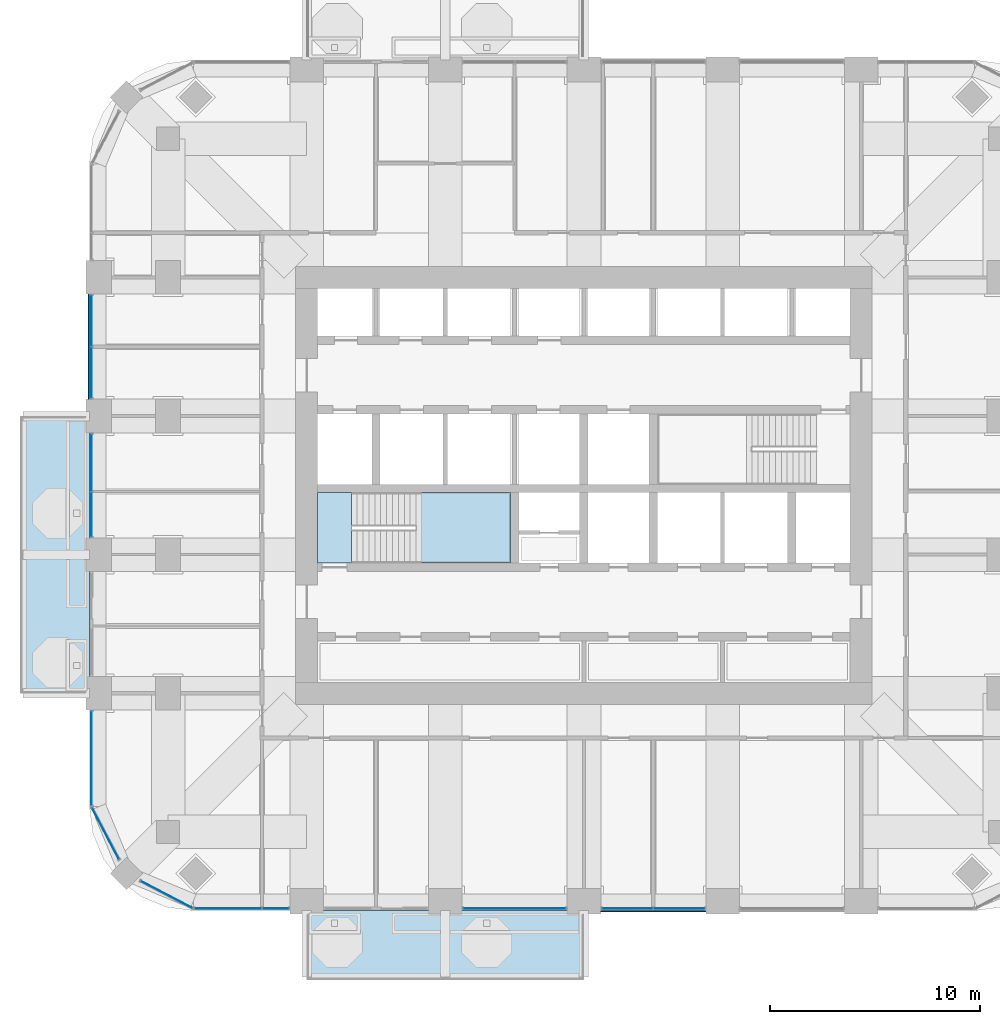
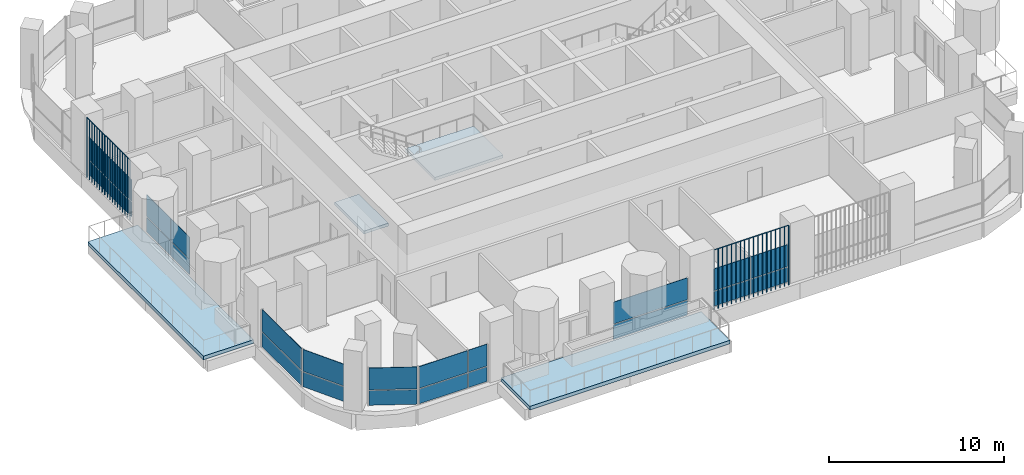
# One storey, part 8 of 20: 26 plates, 4 slabs, 9 elements without a shape of their own.
"""IFC4 building model written with IfcOpenShell, lengths in metres."""

from ifc_helpers import new_model, si_unit, direction, frame, origin, origin_2d, place, context, subcontext, project, spatial, polyline, rectangle, outline, extrude, material, layer, layer_set, type_object, element, aggregate, save


model = new_model("IFC4")

# Units and contexts
model_context = context("Model", 3, precision=1e-05, world=origin(), true_north=direction((0.0, 1.0)))
body_context = subcontext(model_context, "Body", "Model", "MODEL_VIEW")
ifc_project = project(units=[si_unit("LENGTHUNIT", "METRE"), si_unit("AREAUNIT", "SQUARE_METRE"), si_unit("VOLUMEUNIT", "CUBIC_METRE"), si_unit("PLANEANGLEUNIT", "RADIAN"), si_unit("MASSUNIT", "GRAM", prefix="KILO")], contexts=[model_context])

# Site, building, storey
site_placement = place(None, origin())
site = spatial("IfcSite", under=ifc_project, at=site_placement, CompositionType="ELEMENT")
building_placement = place(site_placement, origin())
building = spatial("IfcBuilding", under=site, at=building_placement, Name="Cobogo Forest Laboratory Tower", CompositionType="ELEMENT")
storey_placement = place(building_placement, frame((0.0, 0.0, 210.300048828125)))
storey = spatial("IfcBuildingStorey", under=building, at=storey_placement, Name="L48", CompositionType="ELEMENT", Elevation=210.300048828125)

# Slabs
ifc_material_1 = material(Name="Concrete HA-40 (C40/50)", Category="concrete")
ifc_layer_1 = layer(ifc_material_1, 0.25)
ifc_layer_set_1 = layer_set([ifc_layer_1], Name="Balcony slab 250")
slab_type_1 = type_object("IfcSlabType", Name="Balcony slab 250", PredefinedType="FLOOR", material=ifc_layer_set_1)
slab_1_placement = place(storey_placement, frame((0.0, 0.0, -0.25)))
element("IfcSlab", 1, at=slab_1_placement, inside=storey, type_object=slab_type_1, Name="Balcony BAL-S1 L48", PredefinedType="FLOOR", context=body_context, shape_type="SweptSolid", body=[
    extrude(outline(polyline([(13.199951171875, -0.449951171875), (26.39990234375, -0.449951171875), (26.39990234375, 2.85009765625), (13.199951171875, 2.85009765625), (13.199951171875, -0.449951171875)])), origin(), (0.0, 0.0, 1.0), 0.25),
])
slab_2_placement = place(storey_placement, frame((0.0, 0.0, -0.25)))
element("IfcSlab", 2, at=slab_2_placement, inside=storey, type_object=slab_type_1, Name="Balcony BAL-W1 L48", PredefinedType="FLOOR", context=body_context, shape_type="SweptSolid", body=[
    extrude(outline(polyline([(-0.449951171875, 13.199951171875), (2.85009765625, 13.199951171875), (2.85009765625, 26.39990234375), (-0.449951171875, 26.39990234375), (-0.449951171875, 13.199951171875)])), origin(), (0.0, 0.0, 1.0), 0.25),
])

# Curtain wall, plates
ifc_material_2 = material(Name="Aluminium curtain wall", Category="aluminium")
curtain_wall_type = type_object("IfcCurtainWallType", Name="CW-2 unitised curtain wall, solar control glazing, laboratory floors zones C and D", PredefinedType="USERDEFINED", material=ifc_material_2)
curtain_wall_1_placement = place(storey_placement, origin())
curtain_wall_1 = element("IfcCurtainWall", 3, at=curtain_wall_1_placement, inside=storey, type_object=curtain_wall_type, Name="Curtain wall 01 L48", ObjectType="UNITISED CURTAIN WALL", PredefinedType="USERDEFINED")
ifc_material_3 = material(Name="Solar control insulated glass", Category="glass")
ifc_layer_2 = layer(ifc_material_3, 0.031982421875)
ifc_layer_set_2 = layer_set([ifc_layer_2], Name="GP-2 solar control glass unit 32")
plate_type_1 = type_object("IfcPlateType", Name="GP-2 solar control glass unit 32", PredefinedType="CURTAIN_PANEL", material=ifc_layer_set_2)
plate_1_placement = place(storey_placement, frame((9.452392578125, 2.949951171875, 0.0), z_axis=(0.0, 0.0, 1.0), x_axis=(1.0, 0.0, 0.0)))
plate_1 = element("IfcPlate", 4, at=plate_1_placement, type_object=plate_type_1, Name="CW-2 panel 1.1", PredefinedType="CURTAIN_PANEL", context=body_context, shape_type="SweptSolid", body=[
    extrude(rectangle(XDim=3.18505859375, YDim=0.031982421875, at=origin_2d()), origin(), (0.0, 0.0, 1.0), 1.02001953125),
])
plate_2_placement = place(storey_placement, frame((9.452392578125, 2.949951171875, 1.079833984375), z_axis=(0.0, 0.0, 1.0), x_axis=(1.0, 0.0, 0.0)))
plate_2 = element("IfcPlate", 5, at=plate_2_placement, type_object=plate_type_1, Name="CW-2 panel 1.2", PredefinedType="CURTAIN_PANEL", context=body_context, shape_type="SweptSolid", body=[
    extrude(rectangle(XDim=3.18505859375, YDim=0.031982421875, at=origin_2d()), origin(), (0.0, 0.0, 1.0), 1.52001953125),
])
plate_3_placement = place(storey_placement, frame((11.722412109375, 2.949951171875, 0.0), z_axis=(0.0, 0.0, 1.0), x_axis=(1.0, 0.0, 0.0)))
plate_3 = element("IfcPlate", 6, at=plate_3_placement, type_object=plate_type_1, Name="CW-2 panel 2.1", PredefinedType="CURTAIN_PANEL", context=body_context, shape_type="SweptSolid", body=[
    extrude(rectangle(XDim=1.235107421875, YDim=0.031982421875, at=origin_2d()), origin(), (0.0, 0.0, 1.0), 1.02001953125),
])
plate_4_placement = place(storey_placement, frame((11.722412109375, 2.949951171875, 1.079833984375), z_axis=(0.0, 0.0, 1.0), x_axis=(1.0, 0.0, 0.0)))
plate_4 = element("IfcPlate", 7, at=plate_4_placement, type_object=plate_type_1, Name="CW-2 panel 2.2", PredefinedType="CURTAIN_PANEL", context=body_context, shape_type="SweptSolid", body=[
    extrude(rectangle(XDim=1.235107421875, YDim=0.031982421875, at=origin_2d()), origin(), (0.0, 0.0, 1.0), 1.52001953125),
])
aggregate(curtain_wall_1, [plate_1, plate_2, plate_3, plate_4])

curtain_wall_2_placement = place(storey_placement, origin())
curtain_wall_2 = element("IfcCurtainWall", 8, at=curtain_wall_2_placement, inside=storey, type_object=curtain_wall_type, Name="Curtain wall 03 L48", ObjectType="UNITISED CURTAIN WALL", PredefinedType="USERDEFINED")
plate_5_placement = place(storey_placement, frame((23.10009765625, 2.949951171875, 0.0), z_axis=(0.0, 0.0, 1.0), x_axis=(1.0, 0.0, 0.0)))
plate_5 = element("IfcPlate", 9, at=plate_5_placement, type_object=plate_type_1, Name="CW-2 panel 1.1", PredefinedType="CURTAIN_PANEL", context=body_context, shape_type="SweptSolid", body=[
    extrude(rectangle(XDim=4.8798828125, YDim=0.031982421875, at=origin_2d()), origin(), (0.0, 0.0, 1.0), 1.02001953125),
])
plate_6_placement = place(storey_placement, frame((23.10009765625, 2.949951171875, 1.079833984375), z_axis=(0.0, 0.0, 1.0), x_axis=(1.0, 0.0, 0.0)))
plate_6 = element("IfcPlate", 10, at=plate_6_placement, type_object=plate_type_1, Name="CW-2 panel 1.2", PredefinedType="CURTAIN_PANEL", context=body_context, shape_type="SweptSolid", body=[
    extrude(rectangle(XDim=4.8798828125, YDim=0.031982421875, at=origin_2d()), origin(), (0.0, 0.0, 1.0), 1.52001953125),
])
aggregate(curtain_wall_2, [plate_5, plate_6])

curtain_wall_3_placement = place(storey_placement, origin())
curtain_wall_3 = element("IfcCurtainWall", 11, at=curtain_wall_3_placement, inside=storey, type_object=curtain_wall_type, Name="Curtain wall 04 L48", ObjectType="UNITISED CURTAIN WALL", PredefinedType="USERDEFINED")
plate_7_placement = place(storey_placement, frame((28.465087890625, 2.949951171875, 0.0), z_axis=(0.0, 0.0, 1.0), x_axis=(1.0, 0.0, 0.0)))
plate_7 = element("IfcPlate", 12, at=plate_7_placement, type_object=plate_type_1, Name="CW-2 panel 1.1", PredefinedType="CURTAIN_PANEL", context=body_context, shape_type="SweptSolid", body=[
    extrude(rectangle(XDim=2.409912109375, YDim=0.031982421875, at=origin_2d()), origin(), (0.0, 0.0, 1.0), 1.02001953125),
])
plate_8_placement = place(storey_placement, frame((28.465087890625, 2.949951171875, 1.079833984375), z_axis=(0.0, 0.0, 1.0), x_axis=(1.0, 0.0, 0.0)))
plate_8 = element("IfcPlate", 13, at=plate_8_placement, type_object=plate_type_1, Name="CW-2 panel 1.2", PredefinedType="CURTAIN_PANEL", context=body_context, shape_type="SweptSolid", body=[
    extrude(rectangle(XDim=2.409912109375, YDim=0.031982421875, at=origin_2d()), origin(), (0.0, 0.0, 1.0), 1.52001953125),
])
plate_9_placement = place(storey_placement, frame((30.93505859375, 2.949951171875, 0.0), z_axis=(0.0, 0.0, 1.0), x_axis=(1.0, 0.0, 0.0)))
plate_9 = element("IfcPlate", 14, at=plate_9_placement, type_object=plate_type_1, Name="CW-2 panel 2.1", PredefinedType="CURTAIN_PANEL", context=body_context, shape_type="SweptSolid", body=[
    extrude(rectangle(XDim=2.409912109375, YDim=0.031982421875, at=origin_2d()), origin(), (0.0, 0.0, 1.0), 1.02001953125),
])
plate_10_placement = place(storey_placement, frame((30.93505859375, 2.949951171875, 1.079833984375), z_axis=(0.0, 0.0, 1.0), x_axis=(1.0, 0.0, 0.0)))
plate_10 = element("IfcPlate", 15, at=plate_10_placement, type_object=plate_type_1, Name="CW-2 panel 2.2", PredefinedType="CURTAIN_PANEL", context=body_context, shape_type="SweptSolid", body=[
    extrude(rectangle(XDim=2.409912109375, YDim=0.031982421875, at=origin_2d()), origin(), (0.0, 0.0, 1.0), 1.52001953125),
])
aggregate(curtain_wall_3, [plate_7, plate_8, plate_9, plate_10])

curtain_wall_4_placement = place(storey_placement, origin())
curtain_wall_4 = element("IfcCurtainWall", 16, at=curtain_wall_4_placement, inside=storey, type_object=curtain_wall_type, Name="Curtain wall 25 L48", ObjectType="UNITISED CURTAIN WALL", PredefinedType="USERDEFINED")
plate_11_placement = place(storey_placement, frame((2.949951171875, 30.93505859375, 0.0), z_axis=(0.0, 0.0, 1.0), x_axis=(0.0, -1.0, 0.0)))
plate_11 = element("IfcPlate", 17, at=plate_11_placement, type_object=plate_type_1, Name="CW-2 panel 1.1", PredefinedType="CURTAIN_PANEL", context=body_context, shape_type="SweptSolid", body=[
    extrude(rectangle(XDim=2.409912109375, YDim=0.031982421875, at=origin_2d()), origin(), (0.0, 0.0, 1.0), 1.02001953125),
])
plate_12_placement = place(storey_placement, frame((2.949951171875, 30.93505859375, 1.079833984375), z_axis=(0.0, 0.0, 1.0), x_axis=(0.0, -1.0, 0.0)))
plate_12 = element("IfcPlate", 18, at=plate_12_placement, type_object=plate_type_1, Name="CW-2 panel 1.2", PredefinedType="CURTAIN_PANEL", context=body_context, shape_type="SweptSolid", body=[
    extrude(rectangle(XDim=2.409912109375, YDim=0.031982421875, at=origin_2d()), origin(), (0.0, 0.0, 1.0), 1.52001953125),
])
plate_13_placement = place(storey_placement, frame((2.949951171875, 28.465087890625, 0.0), z_axis=(0.0, 0.0, 1.0), x_axis=(0.0, -1.0, 0.0)))
plate_13 = element("IfcPlate", 19, at=plate_13_placement, type_object=plate_type_1, Name="CW-2 panel 2.1", PredefinedType="CURTAIN_PANEL", context=body_context, shape_type="SweptSolid", body=[
    extrude(rectangle(XDim=2.409912109375, YDim=0.031982421875, at=origin_2d()), origin(), (0.0, 0.0, 1.0), 1.02001953125),
])
plate_14_placement = place(storey_placement, frame((2.949951171875, 28.465087890625, 1.079833984375), z_axis=(0.0, 0.0, 1.0), x_axis=(0.0, -1.0, 0.0)))
plate_14 = element("IfcPlate", 20, at=plate_14_placement, type_object=plate_type_1, Name="CW-2 panel 2.2", PredefinedType="CURTAIN_PANEL", context=body_context, shape_type="SweptSolid", body=[
    extrude(rectangle(XDim=2.409912109375, YDim=0.031982421875, at=origin_2d()), origin(), (0.0, 0.0, 1.0), 1.52001953125),
])
aggregate(curtain_wall_4, [plate_11, plate_12, plate_13, plate_14])

curtain_wall_5_placement = place(storey_placement, origin())
curtain_wall_5 = element("IfcCurtainWall", 21, at=curtain_wall_5_placement, inside=storey, type_object=curtain_wall_type, Name="Curtain wall 26 L48", ObjectType="UNITISED CURTAIN WALL", PredefinedType="USERDEFINED")
plate_15_placement = place(storey_placement, frame((2.949951171875, 24.18505859375, 0.0), z_axis=(0.0, 0.0, 1.0), x_axis=(0.0, -1.0, 0.0)))
plate_15 = element("IfcPlate", 22, at=plate_15_placement, type_object=plate_type_1, Name="CW-2 panel 1.1", PredefinedType="CURTAIN_PANEL", context=body_context, shape_type="SweptSolid", body=[
    extrude(rectangle(XDim=2.7099609375, YDim=0.031982421875, at=origin_2d()), origin(), (0.0, 0.0, 1.0), 1.02001953125),
])
plate_16_placement = place(storey_placement, frame((2.949951171875, 24.18505859375, 1.079833984375), z_axis=(0.0, 0.0, 1.0), x_axis=(0.0, -1.0, 0.0)))
plate_16 = element("IfcPlate", 23, at=plate_16_placement, type_object=plate_type_1, Name="CW-2 panel 1.2", PredefinedType="CURTAIN_PANEL", context=body_context, shape_type="SweptSolid", body=[
    extrude(rectangle(XDim=2.7099609375, YDim=0.031982421875, at=origin_2d()), origin(), (0.0, 0.0, 1.0), 1.52001953125),
])
plate_17_placement = place(storey_placement, frame((2.949951171875, 21.715087890625, 0.0), z_axis=(0.0, 0.0, 1.0), x_axis=(0.0, -1.0, 0.0)))
plate_17 = element("IfcPlate", 24, at=plate_17_placement, type_object=plate_type_1, Name="CW-2 panel 2.1", PredefinedType="CURTAIN_PANEL", context=body_context, shape_type="SweptSolid", body=[
    extrude(rectangle(XDim=2.110107421875, YDim=0.031982421875, at=origin_2d()), origin(), (0.0, 0.0, 1.0), 1.02001953125),
])
plate_18_placement = place(storey_placement, frame((2.949951171875, 21.715087890625, 1.079833984375), z_axis=(0.0, 0.0, 1.0), x_axis=(0.0, -1.0, 0.0)))
plate_18 = element("IfcPlate", 25, at=plate_18_placement, type_object=plate_type_1, Name="CW-2 panel 2.2", PredefinedType="CURTAIN_PANEL", context=body_context, shape_type="SweptSolid", body=[
    extrude(rectangle(XDim=2.110107421875, YDim=0.031982421875, at=origin_2d()), origin(), (0.0, 0.0, 1.0), 1.52001953125),
])
aggregate(curtain_wall_5, [plate_15, plate_16, plate_17, plate_18])

curtain_wall_6_placement = place(storey_placement, origin())
curtain_wall_6 = element("IfcCurtainWall", 26, at=curtain_wall_6_placement, inside=storey, type_object=curtain_wall_type, Name="Curtain wall 28 L48", ObjectType="UNITISED CURTAIN WALL", PredefinedType="USERDEFINED")
plate_19_placement = place(storey_placement, frame((2.949951171875, 10.10009765625, 0.0), z_axis=(0.0, 0.0, 1.0), x_axis=(0.0, -1.0, 0.0)))
plate_19 = element("IfcPlate", 27, at=plate_19_placement, type_object=plate_type_1, Name="CW-2 panel 1.1", PredefinedType="CURTAIN_PANEL", context=body_context, shape_type="SweptSolid", body=[
    extrude(rectangle(XDim=4.47998046875, YDim=0.031982421875, at=origin_2d()), origin(), (0.0, 0.0, 1.0), 1.02001953125),
])
plate_20_placement = place(storey_placement, frame((2.949951171875, 10.10009765625, 1.079833984375), z_axis=(0.0, 0.0, 1.0), x_axis=(0.0, -1.0, 0.0)))
plate_20 = element("IfcPlate", 28, at=plate_20_placement, type_object=plate_type_1, Name="CW-2 panel 1.2", PredefinedType="CURTAIN_PANEL", context=body_context, shape_type="SweptSolid", body=[
    extrude(rectangle(XDim=4.47998046875, YDim=0.031982421875, at=origin_2d()), origin(), (0.0, 0.0, 1.0), 1.52001953125),
])
aggregate(curtain_wall_6, [plate_19, plate_20])

curtain_wall_7_placement = place(storey_placement, origin())
curtain_wall_7 = element("IfcCurtainWall", 29, at=curtain_wall_7_placement, inside=storey, type_object=curtain_wall_type, Name="Curtain wall 29 L48", ObjectType="UNITISED CURTAIN WALL", PredefinedType="USERDEFINED")
plate_21_placement = place(storey_placement, frame((3.61865234375, 6.5244140625, 0.0), z_axis=(0.0, 0.0, 1.0), x_axis=(0.464283804832, -0.885686484356, 0.0)))
plate_21 = element("IfcPlate", 30, at=plate_21_placement, type_object=plate_type_1, Name="CW-2 panel 1.1", PredefinedType="CURTAIN_PANEL", context=body_context, shape_type="SweptSolid", body=[
    extrude(rectangle(XDim=2.76025390625, YDim=0.031982421875, at=origin_2d()), origin(), (0.0, 0.0, 1.0), 1.02001953125),
])
plate_22_placement = place(storey_placement, frame((3.61865234375, 6.5244140625, 1.079833984375), z_axis=(0.0, 0.0, 1.0), x_axis=(0.464283804832, -0.885686484356, 0.0)))
plate_22 = element("IfcPlate", 31, at=plate_22_placement, type_object=plate_type_1, Name="CW-2 panel 1.2", PredefinedType="CURTAIN_PANEL", context=body_context, shape_type="SweptSolid", body=[
    extrude(rectangle(XDim=2.76025390625, YDim=0.031982421875, at=origin_2d()), origin(), (0.0, 0.0, 1.0), 1.52001953125),
])
aggregate(curtain_wall_7, [plate_21, plate_22])

curtain_wall_8_placement = place(storey_placement, origin())
curtain_wall_8 = element("IfcCurtainWall", 32, at=curtain_wall_8_placement, inside=storey, type_object=curtain_wall_type, Name="Curtain wall 30 L48", ObjectType="UNITISED CURTAIN WALL", PredefinedType="USERDEFINED")
plate_23_placement = place(storey_placement, frame((6.5244140625, 3.61865234375, 0.0), z_axis=(0.0, 0.0, 1.0), x_axis=(0.885686484356, -0.464283804832, 0.0)))
plate_23 = element("IfcPlate", 33, at=plate_23_placement, type_object=plate_type_1, Name="CW-2 panel 1.1", PredefinedType="CURTAIN_PANEL", context=body_context, shape_type="SweptSolid", body=[
    extrude(rectangle(XDim=2.76025390625, YDim=0.031982421875, at=origin_2d()), origin(), (0.0, 0.0, 1.0), 1.02001953125),
])
plate_24_placement = place(storey_placement, frame((6.5244140625, 3.61865234375, 1.079833984375), z_axis=(0.0, 0.0, 1.0), x_axis=(0.885686484356, -0.464283804832, 0.0)))
plate_24 = element("IfcPlate", 34, at=plate_24_placement, type_object=plate_type_1, Name="CW-2 panel 1.2", PredefinedType="CURTAIN_PANEL", context=body_context, shape_type="SweptSolid", body=[
    extrude(rectangle(XDim=2.76025390625, YDim=0.031982421875, at=origin_2d()), origin(), (0.0, 0.0, 1.0), 1.52001953125),
])
aggregate(curtain_wall_8, [plate_23, plate_24])

# Stair, slabs
ifc_material_4 = material(Name="Precast concrete HA-40 (C40/50)", Category="concrete")
stair_type = type_object("IfcStairType", Name="ST24 exit stair 24 risers", PredefinedType="HALF_TURN_STAIR", material=ifc_material_4)
stair_placement = place(storey_placement, origin())
stair = element("IfcStair", 35, at=stair_placement, inside=storey, type_object=stair_type, Name="Stair 1 L48 to L49", PredefinedType="HALF_TURN_STAIR")
ifc_layer_3 = layer(ifc_material_1, 0.199951171875)
ifc_layer_set_3 = layer_set([ifc_layer_3], Name="SL stair landing 200")
slab_type_2 = type_object("IfcSlabType", Name="SL stair landing 200", PredefinedType="LANDING", material=ifc_layer_set_3)
slab_3_placement = place(storey_placement, frame((0.0, 0.0, -0.199951171875)))
slab_3 = element("IfcSlab", 36, at=slab_3_placement, type_object=slab_type_2, Name="ST1 landing 1", PredefinedType="LANDING", context=body_context, shape_type="SweptSolid", body=[
    extrude(outline(polyline([(13.72509765625, 19.39990234375), (15.326904296875, 19.39990234375), (15.326904296875, 22.75), (13.72509765625, 22.75), (13.72509765625, 19.39990234375)])), origin(), (0.0, 0.0, 1.0), 0.199951171875),
])
slab_4_placement = place(storey_placement, frame((0.0, 0.0, 1.89990234375)))
slab_4 = element("IfcSlab", 37, at=slab_4_placement, type_object=slab_type_2, Name="ST1 landing 2", PredefinedType="LANDING", context=body_context, shape_type="SweptSolid", body=[
    extrude(outline(polyline([(18.403076171875, 19.39990234375), (22.89990234375, 19.39990234375), (22.89990234375, 22.75), (18.403076171875, 22.75), (18.403076171875, 19.39990234375)])), origin(), (0.0, 0.0, 1.0), 0.199951171875),
])
aggregate(stair, [slab_3, slab_4])

# Plates
ifc_material_5 = material(Name="Terracotta", Category="masonry")
plate_type_2 = type_object("IfcPlateType", Name="TB1 terracotta baguette screen", PredefinedType="USERDEFINED", material=ifc_material_5)
plate_25_placement = place(storey_placement, frame((27.231201171875, 2.822021484375, -0.150146484375)))
element("IfcPlate", 38, at=plate_25_placement, inside=storey, type_object=plate_type_2, Name="Baguette screen S3 L48", ObjectType="BAGUETTE SCREEN", PredefinedType="USERDEFINED", context=body_context, shape_type="SweptSolid", body=[
    extrude(outline(polyline([(0.02880859375, 0.011962890625), (0.011962890625, 0.02880859375), (-0.011962890625, 0.02880859375), (-0.02880859375, 0.011962890625), (-0.02880859375, -0.011962890625), (-0.011962890625, -0.02880859375), (0.011962890625, -0.02880859375), (0.02880859375, -0.011962890625), (0.02880859375, 0.011962890625)])), frame((0.0, 0.0, 4.168701171875), z_axis=(1.0, 0.0, 0.0), x_axis=(0.0, 1.0, 0.0)), (0.0, 0.0, 1.0), 4.9375),
    extrude(outline(polyline([(0.02880859375, 0.011962890625), (0.011962890625, 0.02880859375), (-0.011962890625, 0.02880859375), (-0.02880859375, 0.011962890625), (-0.02880859375, -0.011962890625), (-0.011962890625, -0.02880859375), (0.011962890625, -0.02880859375), (0.02880859375, -0.011962890625), (0.02880859375, 0.011962890625)])), origin(), (0.0, 0.0, 1.0), 4.137451171875),
    extrude(outline(polyline([(0.02880859375, 0.011962890625), (0.011962890625, 0.02880859375), (-0.011962890625, 0.02880859375), (-0.02880859375, 0.011962890625), (-0.02880859375, -0.011962890625), (-0.011962890625, -0.02880859375), (0.011962890625, -0.02880859375), (0.02880859375, -0.011962890625), (0.02880859375, 0.011962890625)])), frame((0.29052734375, 0.0, 0.0)), (0.0, 0.0, 1.0), 4.137451171875),
    extrude(outline(polyline([(0.02880859375, 0.011962890625), (0.011962890625, 0.02880859375), (-0.011962890625, 0.02880859375), (-0.02880859375, 0.011962890625), (-0.02880859375, -0.011962890625), (-0.011962890625, -0.02880859375), (0.011962890625, -0.02880859375), (0.02880859375, -0.011962890625), (0.02880859375, 0.011962890625)])), frame((0.580810546875, 0.0, 0.0)), (0.0, 0.0, 1.0), 4.137451171875),
    extrude(outline(polyline([(0.02880859375, 0.011962890625), (0.011962890625, 0.02880859375), (-0.011962890625, 0.02880859375), (-0.02880859375, 0.011962890625), (-0.02880859375, -0.011962890625), (-0.011962890625, -0.02880859375), (0.011962890625, -0.02880859375), (0.02880859375, -0.011962890625), (0.02880859375, 0.011962890625)])), frame((0.871337890625, 0.0, 0.0)), (0.0, 0.0, 1.0), 4.137451171875),
    extrude(outline(polyline([(0.02880859375, 0.011962890625), (0.011962890625, 0.02880859375), (-0.011962890625, 0.02880859375), (-0.02880859375, 0.011962890625), (-0.02880859375, -0.011962890625), (-0.011962890625, -0.02880859375), (0.011962890625, -0.02880859375), (0.02880859375, -0.011962890625), (0.02880859375, 0.011962890625)])), frame((1.161865234375, 0.0, 0.0)), (0.0, 0.0, 1.0), 4.137451171875),
    extrude(outline(polyline([(0.02880859375, 0.011962890625), (0.011962890625, 0.02880859375), (-0.011962890625, 0.02880859375), (-0.02880859375, 0.011962890625), (-0.02880859375, -0.011962890625), (-0.011962890625, -0.02880859375), (0.011962890625, -0.02880859375), (0.02880859375, -0.011962890625), (0.02880859375, 0.011962890625)])), frame((1.4521484375, 0.0, 0.0)), (0.0, 0.0, 1.0), 4.137451171875),
    extrude(outline(polyline([(0.02880859375, 0.011962890625), (0.011962890625, 0.02880859375), (-0.011962890625, 0.02880859375), (-0.02880859375, 0.011962890625), (-0.02880859375, -0.011962890625), (-0.011962890625, -0.02880859375), (0.011962890625, -0.02880859375), (0.02880859375, -0.011962890625), (0.02880859375, 0.011962890625)])), frame((1.74267578125, 0.0, 0.0)), (0.0, 0.0, 1.0), 4.137451171875),
    extrude(outline(polyline([(0.02880859375, 0.011962890625), (0.011962890625, 0.02880859375), (-0.011962890625, 0.02880859375), (-0.02880859375, 0.011962890625), (-0.02880859375, -0.011962890625), (-0.011962890625, -0.02880859375), (0.011962890625, -0.02880859375), (0.02880859375, -0.011962890625), (0.02880859375, 0.011962890625)])), frame((2.033203125, 0.0, 0.0)), (0.0, 0.0, 1.0), 4.137451171875),
    extrude(outline(polyline([(0.02880859375, 0.011962890625), (0.011962890625, 0.02880859375), (-0.011962890625, 0.02880859375), (-0.02880859375, 0.011962890625), (-0.02880859375, -0.011962890625), (-0.011962890625, -0.02880859375), (0.011962890625, -0.02880859375), (0.02880859375, -0.011962890625), (0.02880859375, 0.011962890625)])), frame((2.323486328125, 0.0, 0.0)), (0.0, 0.0, 1.0), 4.137451171875),
    extrude(outline(polyline([(0.02880859375, 0.011962890625), (0.011962890625, 0.02880859375), (-0.011962890625, 0.02880859375), (-0.02880859375, 0.011962890625), (-0.02880859375, -0.011962890625), (-0.011962890625, -0.02880859375), (0.011962890625, -0.02880859375), (0.02880859375, -0.011962890625), (0.02880859375, 0.011962890625)])), frame((2.614013671875, 0.0, 0.0)), (0.0, 0.0, 1.0), 4.137451171875),
    extrude(outline(polyline([(0.02880859375, 0.011962890625), (0.011962890625, 0.02880859375), (-0.011962890625, 0.02880859375), (-0.02880859375, 0.011962890625), (-0.02880859375, -0.011962890625), (-0.011962890625, -0.02880859375), (0.011962890625, -0.02880859375), (0.02880859375, -0.011962890625), (0.02880859375, 0.011962890625)])), frame((2.904296875, 0.0, 0.0)), (0.0, 0.0, 1.0), 4.137451171875),
    extrude(outline(polyline([(0.02880859375, 0.011962890625), (0.011962890625, 0.02880859375), (-0.011962890625, 0.02880859375), (-0.02880859375, 0.011962890625), (-0.02880859375, -0.011962890625), (-0.011962890625, -0.02880859375), (0.011962890625, -0.02880859375), (0.02880859375, -0.011962890625), (0.02880859375, 0.011962890625)])), frame((3.19482421875, 0.0, 0.0)), (0.0, 0.0, 1.0), 4.137451171875),
    extrude(outline(polyline([(0.02880859375, 0.011962890625), (0.011962890625, 0.02880859375), (-0.011962890625, 0.02880859375), (-0.02880859375, 0.011962890625), (-0.02880859375, -0.011962890625), (-0.011962890625, -0.02880859375), (0.011962890625, -0.02880859375), (0.02880859375, -0.011962890625), (0.02880859375, 0.011962890625)])), frame((3.4853515625, 0.0, 0.0)), (0.0, 0.0, 1.0), 4.137451171875),
    extrude(outline(polyline([(0.02880859375, 0.011962890625), (0.011962890625, 0.02880859375), (-0.011962890625, 0.02880859375), (-0.02880859375, 0.011962890625), (-0.02880859375, -0.011962890625), (-0.011962890625, -0.02880859375), (0.011962890625, -0.02880859375), (0.02880859375, -0.011962890625), (0.02880859375, 0.011962890625)])), frame((3.775634765625, 0.0, 0.0)), (0.0, 0.0, 1.0), 4.137451171875),
    extrude(outline(polyline([(0.02880859375, 0.011962890625), (0.011962890625, 0.02880859375), (-0.011962890625, 0.02880859375), (-0.02880859375, 0.011962890625), (-0.02880859375, -0.011962890625), (-0.011962890625, -0.02880859375), (0.011962890625, -0.02880859375), (0.02880859375, -0.011962890625), (0.02880859375, 0.011962890625)])), frame((4.066162109375, 0.0, 0.0)), (0.0, 0.0, 1.0), 4.137451171875),
    extrude(outline(polyline([(0.02880859375, 0.011962890625), (0.011962890625, 0.02880859375), (-0.011962890625, 0.02880859375), (-0.02880859375, 0.011962890625), (-0.02880859375, -0.011962890625), (-0.011962890625, -0.02880859375), (0.011962890625, -0.02880859375), (0.02880859375, -0.011962890625), (0.02880859375, 0.011962890625)])), frame((4.356689453125, 0.0, 0.0)), (0.0, 0.0, 1.0), 4.137451171875),
    extrude(outline(polyline([(0.02880859375, 0.011962890625), (0.011962890625, 0.02880859375), (-0.011962890625, 0.02880859375), (-0.02880859375, 0.011962890625), (-0.02880859375, -0.011962890625), (-0.011962890625, -0.02880859375), (0.011962890625, -0.02880859375), (0.02880859375, -0.011962890625), (0.02880859375, 0.011962890625)])), frame((4.64697265625, 0.0, 0.0)), (0.0, 0.0, 1.0), 4.137451171875),
    extrude(outline(polyline([(0.02880859375, 0.011962890625), (0.011962890625, 0.02880859375), (-0.011962890625, 0.02880859375), (-0.02880859375, 0.011962890625), (-0.02880859375, -0.011962890625), (-0.011962890625, -0.02880859375), (0.011962890625, -0.02880859375), (0.02880859375, -0.011962890625), (0.02880859375, 0.011962890625)])), frame((4.9375, 0.0, 0.0)), (0.0, 0.0, 1.0), 4.137451171875),
])
plate_26_placement = place(storey_placement, frame((2.822021484375, 27.231201171875, -0.150146484375)))
element("IfcPlate", 39, at=plate_26_placement, inside=storey, type_object=plate_type_2, Name="Baguette screen W3 L48", ObjectType="BAGUETTE SCREEN", PredefinedType="USERDEFINED", context=body_context, shape_type="SweptSolid", body=[
    extrude(outline(polyline([(0.02880859375, 0.011962890625), (0.011962890625, 0.02880859375), (-0.011962890625, 0.02880859375), (-0.02880859375, 0.011962890625), (-0.02880859375, -0.011962890625), (-0.011962890625, -0.02880859375), (0.011962890625, -0.02880859375), (0.02880859375, -0.011962890625), (0.02880859375, 0.011962890625)])), frame((0.0, 0.0, 4.168701171875), z_axis=(0.0, 1.0, 0.0), x_axis=(-1.0, 0.0, 0.0)), (0.0, 0.0, 1.0), 4.9375),
    extrude(outline(polyline([(0.02880859375, 0.011962890625), (0.011962890625, 0.02880859375), (-0.011962890625, 0.02880859375), (-0.02880859375, 0.011962890625), (-0.02880859375, -0.011962890625), (-0.011962890625, -0.02880859375), (0.011962890625, -0.02880859375), (0.02880859375, -0.011962890625), (0.02880859375, 0.011962890625)])), origin(), (0.0, 0.0, 1.0), 4.137451171875),
    extrude(outline(polyline([(0.02880859375, 0.011962890625), (0.011962890625, 0.02880859375), (-0.011962890625, 0.02880859375), (-0.02880859375, 0.011962890625), (-0.02880859375, -0.011962890625), (-0.011962890625, -0.02880859375), (0.011962890625, -0.02880859375), (0.02880859375, -0.011962890625), (0.02880859375, 0.011962890625)])), frame((0.0, 0.29052734375, 0.0)), (0.0, 0.0, 1.0), 4.137451171875),
    extrude(outline(polyline([(0.02880859375, 0.011962890625), (0.011962890625, 0.02880859375), (-0.011962890625, 0.02880859375), (-0.02880859375, 0.011962890625), (-0.02880859375, -0.011962890625), (-0.011962890625, -0.02880859375), (0.011962890625, -0.02880859375), (0.02880859375, -0.011962890625), (0.02880859375, 0.011962890625)])), frame((0.0, 0.580810546875, 0.0)), (0.0, 0.0, 1.0), 4.137451171875),
    extrude(outline(polyline([(0.02880859375, 0.011962890625), (0.011962890625, 0.02880859375), (-0.011962890625, 0.02880859375), (-0.02880859375, 0.011962890625), (-0.02880859375, -0.011962890625), (-0.011962890625, -0.02880859375), (0.011962890625, -0.02880859375), (0.02880859375, -0.011962890625), (0.02880859375, 0.011962890625)])), frame((0.0, 0.871337890625, 0.0)), (0.0, 0.0, 1.0), 4.137451171875),
    extrude(outline(polyline([(0.02880859375, 0.011962890625), (0.011962890625, 0.02880859375), (-0.011962890625, 0.02880859375), (-0.02880859375, 0.011962890625), (-0.02880859375, -0.011962890625), (-0.011962890625, -0.02880859375), (0.011962890625, -0.02880859375), (0.02880859375, -0.011962890625), (0.02880859375, 0.011962890625)])), frame((0.0, 1.161865234375, 0.0)), (0.0, 0.0, 1.0), 4.137451171875),
    extrude(outline(polyline([(0.02880859375, 0.011962890625), (0.011962890625, 0.02880859375), (-0.011962890625, 0.02880859375), (-0.02880859375, 0.011962890625), (-0.02880859375, -0.011962890625), (-0.011962890625, -0.02880859375), (0.011962890625, -0.02880859375), (0.02880859375, -0.011962890625), (0.02880859375, 0.011962890625)])), frame((0.0, 1.4521484375, 0.0)), (0.0, 0.0, 1.0), 4.137451171875),
    extrude(outline(polyline([(0.02880859375, 0.011962890625), (0.011962890625, 0.02880859375), (-0.011962890625, 0.02880859375), (-0.02880859375, 0.011962890625), (-0.02880859375, -0.011962890625), (-0.011962890625, -0.02880859375), (0.011962890625, -0.02880859375), (0.02880859375, -0.011962890625), (0.02880859375, 0.011962890625)])), frame((0.0, 1.74267578125, 0.0)), (0.0, 0.0, 1.0), 4.137451171875),
    extrude(outline(polyline([(0.02880859375, 0.011962890625), (0.011962890625, 0.02880859375), (-0.011962890625, 0.02880859375), (-0.02880859375, 0.011962890625), (-0.02880859375, -0.011962890625), (-0.011962890625, -0.02880859375), (0.011962890625, -0.02880859375), (0.02880859375, -0.011962890625), (0.02880859375, 0.011962890625)])), frame((0.0, 2.033203125, 0.0)), (0.0, 0.0, 1.0), 4.137451171875),
    extrude(outline(polyline([(0.02880859375, 0.011962890625), (0.011962890625, 0.02880859375), (-0.011962890625, 0.02880859375), (-0.02880859375, 0.011962890625), (-0.02880859375, -0.011962890625), (-0.011962890625, -0.02880859375), (0.011962890625, -0.02880859375), (0.02880859375, -0.011962890625), (0.02880859375, 0.011962890625)])), frame((0.0, 2.323486328125, 0.0)), (0.0, 0.0, 1.0), 4.137451171875),
    extrude(outline(polyline([(0.02880859375, 0.011962890625), (0.011962890625, 0.02880859375), (-0.011962890625, 0.02880859375), (-0.02880859375, 0.011962890625), (-0.02880859375, -0.011962890625), (-0.011962890625, -0.02880859375), (0.011962890625, -0.02880859375), (0.02880859375, -0.011962890625), (0.02880859375, 0.011962890625)])), frame((0.0, 2.614013671875, 0.0)), (0.0, 0.0, 1.0), 4.137451171875),
    extrude(outline(polyline([(0.02880859375, 0.011962890625), (0.011962890625, 0.02880859375), (-0.011962890625, 0.02880859375), (-0.02880859375, 0.011962890625), (-0.02880859375, -0.011962890625), (-0.011962890625, -0.02880859375), (0.011962890625, -0.02880859375), (0.02880859375, -0.011962890625), (0.02880859375, 0.011962890625)])), frame((0.0, 2.904296875, 0.0)), (0.0, 0.0, 1.0), 4.137451171875),
    extrude(outline(polyline([(0.02880859375, 0.011962890625), (0.011962890625, 0.02880859375), (-0.011962890625, 0.02880859375), (-0.02880859375, 0.011962890625), (-0.02880859375, -0.011962890625), (-0.011962890625, -0.02880859375), (0.011962890625, -0.02880859375), (0.02880859375, -0.011962890625), (0.02880859375, 0.011962890625)])), frame((0.0, 3.19482421875, 0.0)), (0.0, 0.0, 1.0), 4.137451171875),
    extrude(outline(polyline([(0.02880859375, 0.011962890625), (0.011962890625, 0.02880859375), (-0.011962890625, 0.02880859375), (-0.02880859375, 0.011962890625), (-0.02880859375, -0.011962890625), (-0.011962890625, -0.02880859375), (0.011962890625, -0.02880859375), (0.02880859375, -0.011962890625), (0.02880859375, 0.011962890625)])), frame((0.0, 3.4853515625, 0.0)), (0.0, 0.0, 1.0), 4.137451171875),
    extrude(outline(polyline([(0.02880859375, 0.011962890625), (0.011962890625, 0.02880859375), (-0.011962890625, 0.02880859375), (-0.02880859375, 0.011962890625), (-0.02880859375, -0.011962890625), (-0.011962890625, -0.02880859375), (0.011962890625, -0.02880859375), (0.02880859375, -0.011962890625), (0.02880859375, 0.011962890625)])), frame((0.0, 3.775634765625, 0.0)), (0.0, 0.0, 1.0), 4.137451171875),
    extrude(outline(polyline([(0.02880859375, 0.011962890625), (0.011962890625, 0.02880859375), (-0.011962890625, 0.02880859375), (-0.02880859375, 0.011962890625), (-0.02880859375, -0.011962890625), (-0.011962890625, -0.02880859375), (0.011962890625, -0.02880859375), (0.02880859375, -0.011962890625), (0.02880859375, 0.011962890625)])), frame((0.0, 4.066162109375, 0.0)), (0.0, 0.0, 1.0), 4.137451171875),
    extrude(outline(polyline([(0.02880859375, 0.011962890625), (0.011962890625, 0.02880859375), (-0.011962890625, 0.02880859375), (-0.02880859375, 0.011962890625), (-0.02880859375, -0.011962890625), (-0.011962890625, -0.02880859375), (0.011962890625, -0.02880859375), (0.02880859375, -0.011962890625), (0.02880859375, 0.011962890625)])), frame((0.0, 4.356689453125, 0.0)), (0.0, 0.0, 1.0), 4.137451171875),
    extrude(outline(polyline([(0.02880859375, 0.011962890625), (0.011962890625, 0.02880859375), (-0.011962890625, 0.02880859375), (-0.02880859375, 0.011962890625), (-0.02880859375, -0.011962890625), (-0.011962890625, -0.02880859375), (0.011962890625, -0.02880859375), (0.02880859375, -0.011962890625), (0.02880859375, 0.011962890625)])), frame((0.0, 4.64697265625, 0.0)), (0.0, 0.0, 1.0), 4.137451171875),
    extrude(outline(polyline([(0.02880859375, 0.011962890625), (0.011962890625, 0.02880859375), (-0.011962890625, 0.02880859375), (-0.02880859375, 0.011962890625), (-0.02880859375, -0.011962890625), (-0.011962890625, -0.02880859375), (0.011962890625, -0.02880859375), (0.02880859375, -0.011962890625), (0.02880859375, 0.011962890625)])), frame((0.0, 4.9375, 0.0)), (0.0, 0.0, 1.0), 4.137451171875),
])

save(model, "model.ifc")
